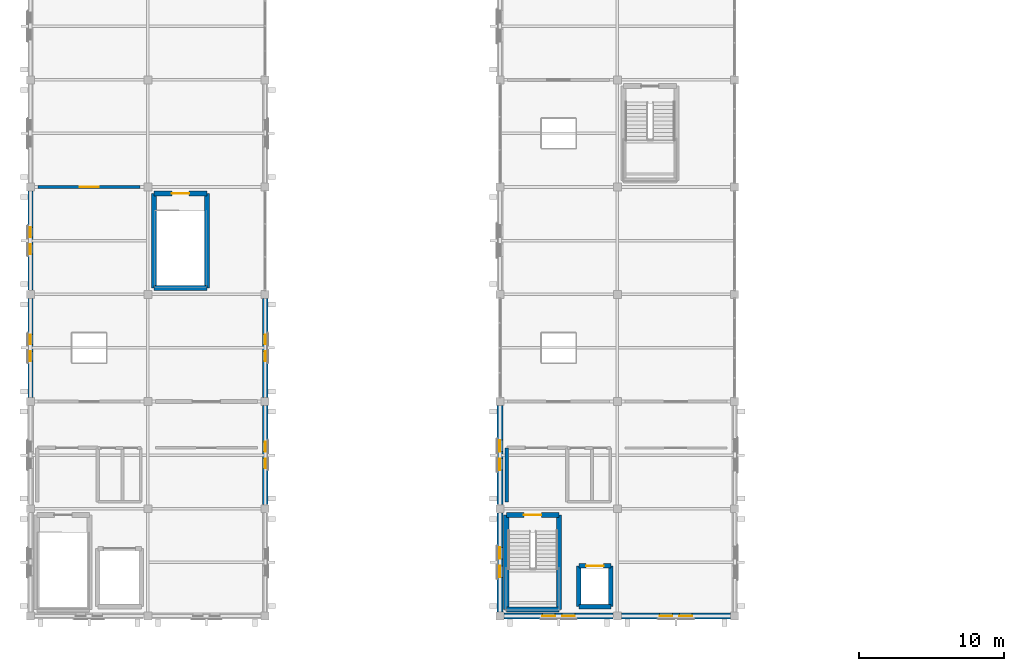
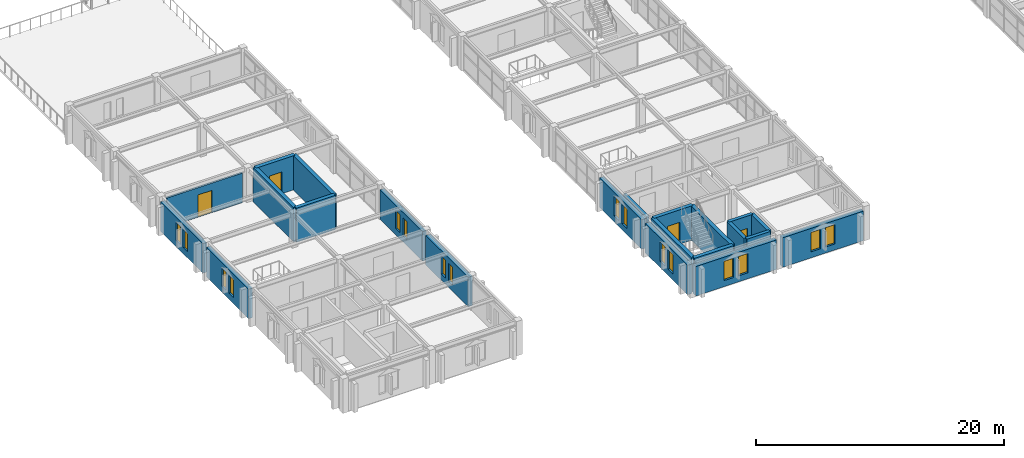
# One storey, part 78 of 93: 22 walls, 16 windows, 4 doors, 20 openings.
"""IFC4 building model written with IfcOpenShell, lengths in metres."""

import ifcopenshell
import ifcopenshell.guid

model = None  # the IFC model being written
_history = None  # IfcOwnerHistory: only IFC2X3 demands one
_inside = {}  # id of a spatial element -> (the spatial element, [elements in it])
_under = {}  # id of a project, library or spatial element -> (it, [spatial elements below it])
_declared = {}  # id of a project -> (the project, [libraries it declares])
_typed = {}  # id of a type object -> (the type object, [elements of that type])
_made_of = {}  # id of a material, layer set ... -> (it, [elements and type objects made of it])


def new_model(schema):
    """Start an empty IFC model of exactly this schema.

    Asked for "IFC4X3", IfcOpenShell would pick the latest addendum, in which some entities
    have other attributes; the version numbers below select the first issue.
    IFC2X3 requires an IfcOwnerHistory on every rooted entity: one is made here for all.
    """
    global model, _history
    if schema == "IFC4X3":
        model = ifcopenshell.file(schema_version=(4, 3, 0, 0))
    else:
        model = ifcopenshell.file(schema=schema)
    _inside.clear()
    _under.clear()
    _declared.clear()
    _typed.clear()
    _made_of.clear()
    _history = None
    if model.schema == "IFC2X3":
        org = make("IfcOrganization", Name="unknown")
        user = make(
            "IfcPersonAndOrganization",
            ThePerson=make("IfcPerson", FamilyName="unknown"),
            TheOrganization=org,
        )
        app = make(
            "IfcApplication",
            ApplicationDeveloper=org,
            Version="unknown",
            ApplicationFullName="unknown",
            ApplicationIdentifier="unknown",
        )
        _history = make(
            "IfcOwnerHistory",
            OwningUser=user,
            OwningApplication=app,
            ChangeAction="ADDED",
            CreationDate=0,
        )
    return model


def make(cls, **values):
    """One entity of the class cls with the attributes given. An attribute that is None is left unset."""
    return model.create_entity(
        cls, **{name: value for name, value in values.items() if value is not None}
    )


def rooted(cls, **values):
    """An entity with a GlobalId (a new one), such as an element, a storey or a relation."""
    return make(cls, GlobalId=ifcopenshell.guid.new(), OwnerHistory=_history, **values)


def si_unit(unit_type, name, prefix=None):
    """IfcSIUnit, for example si_unit("LENGTHUNIT", "METRE", prefix="MILLI")."""
    return make("IfcSIUnit", UnitType=unit_type, Prefix=prefix, Name=name)


def assignment(units):
    """IfcUnitAssignment: the units of a project."""
    return None if units is None else make("IfcUnitAssignment", Units=units)


def point(xyz):
    """IfcCartesianPoint."""
    return None if xyz is None else make("IfcCartesianPoint", Coordinates=xyz)


def direction(xyz):
    """IfcDirection."""
    return None if xyz is None else make("IfcDirection", DirectionRatios=xyz)


def frame(location, z_axis=None, x_axis=None):
    """IfcAxis2Placement3D, a coordinate frame: its origin and axes. An axis left out is left unset."""
    return make(
        "IfcAxis2Placement3D",
        Location=point(location),
        Axis=direction(z_axis),
        RefDirection=direction(x_axis),
    )


def frame_2d(location, x_axis=None):
    """IfcAxis2Placement2D, a coordinate frame in the plane: its origin and x axis."""
    return make(
        "IfcAxis2Placement2D", Location=point(location), RefDirection=direction(x_axis)
    )


def origin():
    """The frame at (0, 0, 0) with its axes left unset."""
    return frame((0.0, 0.0, 0.0))


def place(relative_to, where):
    """IfcLocalPlacement: puts the frame where relative to a parent placement (None: the world)."""
    return make(
        "IfcLocalPlacement", PlacementRelTo=relative_to, RelativePlacement=where
    )


def context(
    kind, dimensions, precision=None, world=None, true_north=None, identifier=None
):
    """IfcGeometricRepresentationContext, for example the 3D "Model" context."""
    return make(
        "IfcGeometricRepresentationContext",
        ContextIdentifier=identifier,
        ContextType=kind,
        CoordinateSpaceDimension=dimensions,
        Precision=precision,
        WorldCoordinateSystem=world,
        TrueNorth=true_north,
    )


def subcontext(parent, identifier, kind, view, scale=None):
    """IfcGeometricRepresentationSubContext, for example "Body" below "Model"."""
    return make(
        "IfcGeometricRepresentationSubContext",
        ContextIdentifier=identifier,
        ContextType=kind,
        ParentContext=parent,
        TargetScale=scale,
        TargetView=view,
    )


def project(units=None, contexts=None):
    """IfcProject with its units and contexts."""
    return rooted(
        "IfcProject",
        Name="project",
        RepresentationContexts=contexts,
        UnitsInContext=assignment(units),
    )


def spatial(cls, under=None, at=None, **own):
    """A site, building, storey or space (cls), placed at a placement, below another one or the project."""
    s = rooted(cls, ObjectPlacement=at, **own)
    if under is not None:
        _under.setdefault(under.id(), (under, []))[1].append(s)
    return s


def profile(cls, at=None, kind="AREA", **sizes):
    """A parametric profile (cls). Its sizes go by their IFC names, for example OverallWidth=200.0."""
    return make(cls, ProfileType=kind, Position=at, **sizes)


def rectangle(**sizes):
    """IfcRectangleProfileDef."""
    return profile("IfcRectangleProfileDef", **sizes)


def extrude(swept, where, along, depth):
    """IfcExtrudedAreaSolid: the profile swept, set in the frame where, extruded along a direction by depth."""
    return make(
        "IfcExtrudedAreaSolid",
        SweptArea=swept,
        Position=where,
        ExtrudedDirection=direction(along),
        Depth=depth,
    )


def shape(context_of_items, identifier, shape_type, items):
    """IfcShapeRepresentation: the items that make up one representation, for example the "Body"."""
    return make(
        "IfcShapeRepresentation",
        ContextOfItems=context_of_items,
        RepresentationIdentifier=identifier,
        RepresentationType=shape_type,
        Items=items,
    )


def material(Name=None, Category=None):
    """IfcMaterial."""
    return make("IfcMaterial", Name=Name, Category=Category)


def layer(
    of_material, thickness, ventilated=None, Name=None, Category=None, Priority=None
):
    """IfcMaterialLayer: one layer of a wall or slab, of a material (None: an air gap)."""
    return make(
        "IfcMaterialLayer",
        Material=of_material,
        LayerThickness=thickness,
        IsVentilated=ventilated,
        Name=Name,
        Category=Category,
        Priority=Priority,
    )


def layer_set(layers, Name=None):
    """IfcMaterialLayerSet."""
    return make("IfcMaterialLayerSet", MaterialLayers=layers, LayerSetName=Name)


def made_of(thing, what):
    """Note that an element or type object is made of a material, layer set ...; save() writes the relation."""
    if what is not None:
        _made_of.setdefault(what.id(), (what, []))[1].append(thing)
    return thing


def type_object(cls, material=None, **own):
    """A type object (cls), such as IfcWallType, which elements share."""
    return made_of(rooted(cls, **own), material)


def element(
    cls,
    number,
    at=None,
    inside=None,
    cuts=None,
    type_object=None,
    material=None,
    context=None,
    identifier="Body",
    shape_type=None,
    held_by="IfcProductDefinitionShape",
    body=None,
    shapes=None,
    **own,
):
    """One element of the class cls, such as IfcWall. Its Tag is "e" and its number.

    at: its placement. inside: the storey or other place that contains it. cuts: it is an
    opening in that element (IfcRelVoidsElement). A single representation is given by context,
    identifier, shape_type and body (its items); several are given by shapes. held_by: the class
    of the entity that holds the representations. save() writes the other relations.
    """
    e = rooted(cls, Tag="e%d" % number, ObjectPlacement=at, **own)
    if body is not None:
        shapes = [shape(context, identifier, shape_type, body)]
    if shapes is not None:
        e.Representation = make(held_by, Representations=shapes)
    if inside is not None:
        _inside.setdefault(inside.id(), (inside, []))[1].append(e)
    if cuts is not None:
        rooted(
            "IfcRelVoidsElement", RelatingBuildingElement=cuts, RelatedOpeningElement=e
        )
    if type_object is not None:
        _typed.setdefault(type_object.id(), (type_object, []))[1].append(e)
    return made_of(e, material)


def fill(opening, filler):
    """IfcRelFillsElement: the door or window that sits in an opening."""
    return rooted(
        "IfcRelFillsElement",
        RelatingOpeningElement=opening,
        RelatedBuildingElement=filler,
    )


def aggregate(whole, parts):
    """IfcRelAggregates: a whole, such as a stair, and the parts it consists of."""
    return rooted("IfcRelAggregates", RelatingObject=whole, RelatedObjects=parts)


def save(model, path):
    """Write the relations noted so far, then the file.

    IfcRelAggregates (storeys below a building ...), IfcRelContainedInSpatialStructure (elements
    in a storey), IfcRelDefinesByType, IfcRelAssociatesMaterial and IfcRelDeclares: one each for
    every whole, place, type object, material and project.
    """
    for whole, parts in _under.values():
        aggregate(whole, parts)
    for where, things in _inside.values():
        rooted(
            "IfcRelContainedInSpatialStructure",
            RelatedElements=things,
            RelatingStructure=where,
        )
    for kind, things in _typed.values():
        rooted("IfcRelDefinesByType", RelatedObjects=things, RelatingType=kind)
    for what, things in _made_of.values():
        rooted("IfcRelAssociatesMaterial", RelatedObjects=things, RelatingMaterial=what)
    for by, libraries in _declared.values():
        rooted("IfcRelDeclares", RelatingContext=by, RelatedDefinitions=libraries)
    model.write(path)


model = new_model("IFC4")

# Units and contexts
model_context = context("Model", 3, precision=1e-05, world=origin(), true_north=direction((0.0, 1.0)))
body_context = subcontext(model_context, "Body", "Model", "MODEL_VIEW")
ifc_project = project(units=[si_unit("LENGTHUNIT", "METRE"), si_unit("AREAUNIT", "SQUARE_METRE"), si_unit("VOLUMEUNIT", "CUBIC_METRE"), si_unit("PLANEANGLEUNIT", "RADIAN"), si_unit("MASSUNIT", "GRAM", prefix="KILO")], contexts=[model_context])

# Site, building, storey
site_placement = place(None, origin())
site = spatial("IfcSite", under=ifc_project, at=site_placement, CompositionType="ELEMENT")
building_placement = place(site_placement, origin())
building = spatial("IfcBuilding", under=site, at=building_placement, Name="Cimatlan Art Gallery", CompositionType="ELEMENT")
storey_placement = place(building_placement, frame((0.0, 0.0, 13.800048828125)))
storey = spatial("IfcBuildingStorey", under=building, at=storey_placement, Name="L03", CompositionType="ELEMENT", Elevation=13.800048828125)

# Walls
ifc_material_1 = material(Name="Concrete C40/50", Category="concrete")
ifc_layer_1 = layer(ifc_material_1, 0.31005859375)
ifc_layer_set_1 = layer_set([ifc_layer_1], Name="Concrete C40/50")
wall_type_1 = type_object("IfcWallType", Name="W-CORE-310", PredefinedType="SHEAR", material=ifc_layer_set_1)
wall_1_placement = place(storey_placement, frame((39.85009765625, 24.550048828125, 0.0), z_axis=(0.0, 0.0, 1.0), x_axis=(0.0, 1.0, 0.0)))
element("IfcWall", 1, at=wall_1_placement, inside=storey, type_object=wall_type_1, Name="WL-SHFT-C2-L03-LW", PredefinedType="SHEAR", context=body_context, shape_type="SweptSolid", body=[
    extrude(rectangle(XDim=2.800048828125, YDim=0.31005859375, at=frame_2d((1.39990234375, 0.0))), origin(), (0.0, 0.0, 1.0), 3.375),
])
wall_2_placement = place(storey_placement, frame((39.85009765625, 24.550048828125, 0.0), z_axis=(0.0, 0.0, 1.0), x_axis=(1.0, 0.0, 0.0)))
element("IfcWall", 2, at=wall_2_placement, inside=storey, type_object=wall_type_1, Name="WL-SHFT-C2-L03-LS", PredefinedType="SHEAR", context=body_context, shape_type="SweptSolid", body=[
    extrude(rectangle(XDim=2.199951171875, YDim=0.31005859375, at=frame_2d((1.10009765625, 0.0))), origin(), (0.0, 0.0, 1.0), 3.375),
])
wall_3_placement = place(storey_placement, frame((42.050048828125, 24.550048828125, 0.0), z_axis=(0.0, 0.0, 1.0), x_axis=(0.0, 1.0, 0.0)))
element("IfcWall", 3, at=wall_3_placement, inside=storey, type_object=wall_type_1, Name="WL-SHFT-C2-L03-LE", PredefinedType="SHEAR", context=body_context, shape_type="SweptSolid", body=[
    extrude(rectangle(XDim=2.800048828125, YDim=0.31005859375, at=frame_2d((1.39990234375, 0.0))), origin(), (0.0, 0.0, 1.0), 3.375),
])

# Wall, opening, door
wall_4_placement = place(storey_placement, frame((39.85009765625, 27.35009765625, 0.0), z_axis=(0.0, 0.0, 1.0), x_axis=(1.0, 0.0, 0.0)))
wall_4 = element("IfcWall", 4, at=wall_4_placement, inside=storey, type_object=wall_type_1, Name="WL-SHFT-C2-L03-LN", PredefinedType="SHEAR", context=body_context, shape_type="SweptSolid", body=[
    extrude(rectangle(XDim=2.199951171875, YDim=0.31005859375, at=frame_2d((1.10009765625, 0.0))), origin(), (0.0, 0.0, 1.0), 3.375),
])
opening_1_placement = place(wall_4_placement, frame((0.5, 0.0, 0.0)))
opening_1 = element("IfcOpeningElement", 5, at=opening_1_placement, cuts=wall_4, Name="Opening LD-C2-L03", PredefinedType="OPENING", context=body_context, shape_type="SweptSolid", body=[
    extrude(rectangle(XDim=1.199951171875, YDim=2.14990234375, at=frame_2d((0.60009765625, 1.074951171875))), frame((0.0, 0.1650390625, 0.0), z_axis=(0.0, -1.0, 0.0), x_axis=(1.0, 0.0, 0.0)), (0.0, 0.0, 1.0), 0.330078125),
])
ifc_material_2 = material(Name="Fire-rated sliding firefighting lift landing door")
door_type_1 = type_object("IfcDoorType", Name="LD-FF-1200", OperationType="NOTDEFINED", PredefinedType="DOOR", material=ifc_material_2)
door_1_placement = place(opening_1_placement, origin())
door_1 = element("IfcDoor", 6, at=door_1_placement, inside=storey, type_object=door_type_1, Name="LD-FFL-01-L03", OperationType="SLIDING_TO_LEFT", OverallHeight=2.14990234375, OverallWidth=1.199951171875, PredefinedType="DOOR", context=body_context, shape_type="SweptSolid", body=[
    extrude(rectangle(XDim=1.199951171875, YDim=2.14990234375, at=frame_2d((0.60009765625, 1.074951171875))), frame((0.0, 0.02490234375, 0.0), z_axis=(0.0, -1.0, 0.0), x_axis=(1.0, 0.0, 0.0)), (0.0, 0.0, 1.0), 0.050048828125),
])
fill(opening_1, door_1)

# Walls
ifc_layer_2 = layer(ifc_material_1, 0.35009765625)
ifc_layer_set_2 = layer_set([ifc_layer_2], Name="Concrete C40/50")
wall_type_2 = type_object("IfcWallType", Name="W-CORE-350", PredefinedType="SHEAR", material=ifc_layer_set_2)
wall_5_placement = place(storey_placement, frame((34.840087890625, 24.340087890625, 0.0), z_axis=(0.0, 0.0, 1.0), x_axis=(0.0, 1.0, 0.0)))
element("IfcWall", 7, at=wall_5_placement, inside=storey, type_object=wall_type_2, Name="WL-CORE-C2-L03-SW", PredefinedType="SHEAR", context=body_context, shape_type="SweptSolid", body=[
    extrude(rectangle(XDim=6.52001953125, YDim=0.35009765625, at=frame_2d((3.260009765625, 0.0))), origin(), (0.0, 0.0, 1.0), 3.375),
])
wall_6_placement = place(storey_placement, frame((34.840087890625, 24.340087890625, 0.0), z_axis=(0.0, 0.0, 1.0), x_axis=(1.0, 0.0, 0.0)))
element("IfcWall", 8, at=wall_6_placement, inside=storey, type_object=wall_type_2, Name="WL-CORE-C2-L03-SS", PredefinedType="SHEAR", context=body_context, shape_type="SweptSolid", body=[
    extrude(rectangle(XDim=3.639892578125, YDim=0.35009765625, at=frame_2d((1.81982421875, 0.0))), origin(), (0.0, 0.0, 1.0), 3.375),
])
wall_7_placement = place(storey_placement, frame((38.47998046875, 24.340087890625, 0.0), z_axis=(0.0, 0.0, 1.0), x_axis=(0.0, 1.0, 0.0)))
element("IfcWall", 9, at=wall_7_placement, inside=storey, type_object=wall_type_2, Name="WL-CORE-C2-L03-SE", PredefinedType="SHEAR", context=body_context, shape_type="SweptSolid", body=[
    extrude(rectangle(XDim=6.52001953125, YDim=0.35009765625, at=frame_2d((3.260009765625, 0.0))), origin(), (0.0, 0.0, 1.0), 3.375),
])

# Wall, opening, door
wall_8_placement = place(storey_placement, frame((34.840087890625, 30.860107421875, 0.0), z_axis=(0.0, 0.0, 1.0), x_axis=(1.0, 0.0, 0.0)))
wall_8 = element("IfcWall", 10, at=wall_8_placement, inside=storey, type_object=wall_type_2, Name="WL-CORE-C2-L03-SN", PredefinedType="SHEAR", context=body_context, shape_type="SweptSolid", body=[
    extrude(rectangle(XDim=3.639892578125, YDim=0.35009765625, at=frame_2d((1.81982421875, 0.0))), origin(), (0.0, 0.0, 1.0), 3.375),
])
opening_2_placement = place(wall_8_placement, frame((1.219970703125, 0.0, 0.0)))
opening_2 = element("IfcOpeningElement", 11, at=opening_2_placement, cuts=wall_8, Name="Opening FD-C2-L03", PredefinedType="OPENING", context=body_context, shape_type="SweptSolid", body=[
    extrude(rectangle(XDim=1.199951171875, YDim=2.14990234375, at=frame_2d((0.60009765625, 1.074951171875))), frame((0.0, 0.18505859375, 0.0), z_axis=(0.0, -1.0, 0.0), x_axis=(1.0, 0.0, 0.0)), (0.0, 0.0, 1.0), 0.3701171875),
])
ifc_material_3 = material(Name="Fire-resisting steel acoustic stair door", Category="steel")
door_type_2 = type_object("IfcDoorType", Name="FD-ST-1200", OperationType="NOTDEFINED", PredefinedType="DOOR", material=ifc_material_3)
door_2_placement = place(opening_2_placement, origin())
door_2 = element("IfcDoor", 12, at=door_2_placement, inside=storey, type_object=door_type_2, Name="DR-C2-L03-ST", OperationType="SINGLE_SWING_LEFT", OverallHeight=2.14990234375, OverallWidth=1.199951171875, PredefinedType="DOOR", context=body_context, shape_type="SweptSolid", body=[
    extrude(rectangle(XDim=1.199951171875, YDim=2.14990234375, at=frame_2d((0.60009765625, 1.074951171875))), frame((0.0, 0.02490234375, 0.0), z_axis=(0.0, -1.0, 0.0), x_axis=(1.0, 0.0, 0.0)), (0.0, 0.0, 1.0), 0.050048828125),
])
fill(opening_2, door_2)

# Walls
wall_9_placement = place(storey_placement, frame((10.5400390625, 46.5400390625, 0.0), z_axis=(0.0, 0.0, 1.0), x_axis=(0.0, 1.0, 0.0)))
element("IfcWall", 13, at=wall_9_placement, inside=storey, type_object=wall_type_2, Name="WL-CORE-C7-L03-SW", PredefinedType="SHEAR", context=body_context, shape_type="SweptSolid", body=[
    extrude(rectangle(XDim=6.52001953125, YDim=0.35009765625, at=frame_2d((3.260009765625, 0.0))), origin(), (0.0, 0.0, 1.0), 3.375),
])
wall_10_placement = place(storey_placement, frame((10.5400390625, 46.5400390625, 0.0), z_axis=(0.0, 0.0, 1.0), x_axis=(1.0, 0.0, 0.0)))
element("IfcWall", 14, at=wall_10_placement, inside=storey, type_object=wall_type_2, Name="WL-CORE-C7-L03-SS", PredefinedType="SHEAR", context=body_context, shape_type="SweptSolid", body=[
    extrude(rectangle(XDim=3.639892578125, YDim=0.35009765625, at=frame_2d((1.81982421875, 0.0))), origin(), (0.0, 0.0, 1.0), 3.375),
])
wall_11_placement = place(storey_placement, frame((14.179931640625, 46.5400390625, 0.0), z_axis=(0.0, 0.0, 1.0), x_axis=(0.0, 1.0, 0.0)))
element("IfcWall", 15, at=wall_11_placement, inside=storey, type_object=wall_type_2, Name="WL-CORE-C7-L03-SE", PredefinedType="SHEAR", context=body_context, shape_type="SweptSolid", body=[
    extrude(rectangle(XDim=6.52001953125, YDim=0.35009765625, at=frame_2d((3.260009765625, 0.0))), origin(), (0.0, 0.0, 1.0), 3.375),
])

# Wall, opening, door
wall_12_placement = place(storey_placement, frame((10.5400390625, 53.06005859375, 0.0), z_axis=(0.0, 0.0, 1.0), x_axis=(1.0, 0.0, 0.0)))
wall_12 = element("IfcWall", 16, at=wall_12_placement, inside=storey, type_object=wall_type_2, Name="WL-CORE-C7-L03-SN", PredefinedType="SHEAR", context=body_context, shape_type="SweptSolid", body=[
    extrude(rectangle(XDim=3.639892578125, YDim=0.35009765625, at=frame_2d((1.81982421875, 0.0))), origin(), (0.0, 0.0, 1.0), 3.375),
])
opening_3_placement = place(wall_12_placement, frame((1.219970703125, 0.0, 0.0)))
opening_3 = element("IfcOpeningElement", 17, at=opening_3_placement, cuts=wall_12, Name="Opening FD-C7-L03", PredefinedType="OPENING", context=body_context, shape_type="SweptSolid", body=[
    extrude(rectangle(XDim=1.199951171875, YDim=2.14990234375, at=frame_2d((0.60009765625, 1.074951171875))), frame((0.0, 0.18505859375, 0.0), z_axis=(0.0, -1.0, 0.0), x_axis=(1.0, 0.0, 0.0)), (0.0, 0.0, 1.0), 0.3701171875),
])
door_3_placement = place(opening_3_placement, origin())
door_3 = element("IfcDoor", 18, at=door_3_placement, inside=storey, type_object=door_type_2, Name="DR-C7-L03-ST", OperationType="SINGLE_SWING_RIGHT", OverallHeight=2.14990234375, OverallWidth=1.199951171875, PredefinedType="DOOR", context=body_context, shape_type="SweptSolid", body=[
    extrude(rectangle(XDim=1.199951171875, YDim=2.14990234375, at=frame_2d((0.60009765625, 1.074951171875))), frame((0.0, 0.02490234375, 0.0), z_axis=(0.0, -1.0, 0.0), x_axis=(1.0, 0.0, 0.0)), (0.0, 0.0, 1.0), 0.050048828125),
])
fill(opening_3, door_3)

# Wall
ifc_material_4 = material(Name="Precast concrete C40/50", Category="concrete")
ifc_layer_3 = layer(ifc_material_4, 0.2451171875)
ifc_layer_set_3 = layer_set([ifc_layer_3], Name="Precast concrete C40/50")
wall_type_3 = type_object("IfcWallType", Name="W-FFL-245", PredefinedType="PARTITIONING", material=ifc_layer_set_3)
wall_13_placement = place(storey_placement, frame((34.8798828125, 31.780029296875, 0.0), z_axis=(0.0, 0.0, 1.0), x_axis=(0.0, 1.0, 0.0)))
element("IfcWall", 19, at=wall_13_placement, inside=storey, type_object=wall_type_3, Name="WL-LOB-C2-L03-W", PredefinedType="PARTITIONING", context=body_context, shape_type="SweptSolid", body=[
    extrude(rectangle(XDim=3.719970703125, YDim=0.2451171875, at=frame_2d((1.85986328125, 0.0))), origin(), (0.0, 0.0, 1.0), 2.912841796875),
])

# Wall, opening, door
ifc_material_5 = material(Name="Acoustic gypsum and steel stud partition", Category="steel")
ifc_layer_4 = layer(ifc_material_5, 0.179931640625)
ifc_layer_set_4 = layer_set([ifc_layer_4], Name="Acoustic gypsum and steel stud partition")
wall_type_4 = type_object("IfcWallType", Name="W-STD-180", PredefinedType="PARTITIONING", material=ifc_layer_set_4)
wall_14_placement = place(storey_placement, frame((2.52001953125, 53.5, 0.0), z_axis=(0.0, 0.0, 1.0), x_axis=(1.0, 0.0, 0.0)))
wall_14 = element("IfcWall", 20, at=wall_14_placement, inside=storey, type_object=wall_type_4, Name="WL-RM-L03-CNS-N1", PredefinedType="PARTITIONING", context=body_context, shape_type="SweptSolid", body=[
    extrude(rectangle(XDim=7.06005859375, YDim=0.179931640625, at=frame_2d((3.530029296875, 0.0))), origin(), (0.0, 0.0, 1.0), 2.912841796875),
])
opening_4_placement = place(wall_14_placement, frame((2.8798828125, 0.0, 0.0)))
opening_4 = element("IfcOpeningElement", 21, at=opening_4_placement, cuts=wall_14, Name="Opening DI-0244", PredefinedType="OPENING", context=body_context, shape_type="SweptSolid", body=[
    extrude(rectangle(XDim=1.300048828125, YDim=2.199951171875, at=frame_2d((0.64990234375, 1.10009765625))), frame((0.0, 0.10009765625, 0.0), z_axis=(0.0, -1.0, 0.0), x_axis=(1.0, 0.0, 0.0)), (0.0, 0.0, 1.0), 0.199951171875),
])
ifc_material_6 = material(Name="Conservation laboratory double-leaf door")
door_type_3 = type_object("IfcDoorType", Name="DI-CN-1300", OperationType="NOTDEFINED", PredefinedType="DOOR", material=ifc_material_6)
door_4_placement = place(opening_4_placement, origin())
door_4 = element("IfcDoor", 22, at=door_4_placement, inside=storey, type_object=door_type_3, Name="DR-RM-L03-CNS-N1", OperationType="SINGLE_SWING_RIGHT", OverallHeight=2.199951171875, OverallWidth=1.300048828125, PredefinedType="DOOR", context=body_context, shape_type="SweptSolid", body=[
    extrude(rectangle(XDim=1.300048828125, YDim=2.199951171875, at=frame_2d((0.64990234375, 1.10009765625))), frame((0.0, 0.02490234375, 0.0), z_axis=(0.0, -1.0, 0.0), x_axis=(1.0, 0.0, 0.0)), (0.0, 0.0, 1.0), 0.050048828125),
])
fill(opening_4, door_4)

# Wall, openings, windows
ifc_layer_5 = layer(ifc_material_4, 0.39990234375)
ifc_layer_set_5 = layer_set([ifc_layer_5], Name="Precast concrete C40/50")
wall_type_5 = type_object("IfcWallType", Name="WL-EXT-CAN-400", PredefinedType="SOLIDWALL", material=ifc_layer_set_5)
wall_15_placement = place(storey_placement, frame((18.199951171875, 38.4208984375, 0.0), z_axis=(0.0, 0.0, 1.0), x_axis=(0.0, -1.0, 0.0)))
wall_15 = element("IfcWall", 23, at=wall_15_placement, inside=storey, type_object=wall_type_5, Name="WL-EXT-L03-01-04-E", PredefinedType="SOLIDWALL", context=body_context, shape_type="SweptSolid", body=[
    extrude(rectangle(XDim=6.841796875, YDim=0.39990234375, at=frame_2d((3.4208984375, 0.0))), origin(), (0.0, 0.0, 1.0), 2.907958984375),
])
opening_5_placement = place(wall_15_placement, frame((2.5009765625, 0.0, 0.60009765625)))
opening_5 = element("IfcOpeningElement", 24, at=opening_5_placement, cuts=wall_15, Name="Opening WN-0227", PredefinedType="OPENING", context=body_context, shape_type="SweptSolid", body=[
    extrude(rectangle(XDim=0.679931640625, YDim=1.780029296875, at=frame_2d((0.33984375, 0.89013671875))), frame((0.0, 0.2099609375, 0.0), z_axis=(0.0, -1.0, 0.0), x_axis=(1.0, 0.0, 0.0)), (0.0, 0.0, 1.0), 0.419921875),
])
opening_6_placement = place(wall_15_placement, frame((3.660888671875, 0.0, 0.60009765625)))
opening_6 = element("IfcOpeningElement", 25, at=opening_6_placement, cuts=wall_15, Name="Opening WN-0228", PredefinedType="OPENING", context=body_context, shape_type="SweptSolid", body=[
    extrude(rectangle(XDim=0.679931640625, YDim=1.780029296875, at=frame_2d((0.33984375, 0.89013671875))), frame((0.0, 0.2099609375, 0.0), z_axis=(0.0, -1.0, 0.0), x_axis=(1.0, 0.0, 0.0)), (0.0, 0.0, 1.0), 0.419921875),
])
ifc_material_7 = material(Name="Low-E laminated double glazing in bronze lancet frame", Category="glass")
window_type_1 = type_object("IfcWindowType", Name="WIN-CNS-L03-0680X1780", PartitioningType="SINGLE_PANEL", PredefinedType="WINDOW", material=ifc_material_7)
window_1_placement = place(opening_5_placement, origin())
window_1 = element("IfcWindow", 26, at=window_1_placement, inside=storey, type_object=window_type_1, Name="WIN-0227", OverallHeight=1.780029296875, OverallWidth=0.679931640625, PartitioningType="SINGLE_PANEL", PredefinedType="WINDOW", context=body_context, shape_type="SweptSolid", body=[
    extrude(rectangle(XDim=0.679931640625, YDim=1.780029296875, at=frame_2d((0.33984375, 0.89013671875))), frame((0.0, 0.030029296875, 0.0), z_axis=(0.0, -1.0, 0.0), x_axis=(1.0, 0.0, 0.0)), (0.0, 0.0, 1.0), 0.06005859375),
])
fill(opening_5, window_1)
window_2_placement = place(opening_6_placement, origin())
window_2 = element("IfcWindow", 27, at=window_2_placement, inside=storey, type_object=window_type_1, Name="WIN-0228", OverallHeight=1.780029296875, OverallWidth=0.679931640625, PartitioningType="SINGLE_PANEL", PredefinedType="WINDOW", context=body_context, shape_type="SweptSolid", body=[
    extrude(rectangle(XDim=0.679931640625, YDim=1.780029296875, at=frame_2d((0.33984375, 0.89013671875))), frame((0.0, 0.030029296875, 0.0), z_axis=(0.0, -1.0, 0.0), x_axis=(1.0, 0.0, 0.0)), (0.0, 0.0, 1.0), 0.06005859375),
])
fill(opening_6, window_2)

wall_16_placement = place(storey_placement, frame((42.220947265625, 23.89990234375, 0.0), z_axis=(0.0, 0.0, 1.0), x_axis=(-1.0, 0.0, 0.0)))
wall_16 = element("IfcWall", 28, at=wall_16_placement, inside=storey, type_object=wall_type_5, Name="WL-EXT-L03-04-03-S", PredefinedType="SOLIDWALL", context=body_context, shape_type="SweptSolid", body=[
    extrude(rectangle(XDim=7.5419921875, YDim=0.39990234375, at=frame_2d((3.77099609375, 0.0))), origin(), (0.0, 0.0, 1.0), 2.907958984375),
])
opening_7_placement = place(wall_16_placement, frame((2.65087890625, 0.0, 0.60009765625)))
opening_7 = element("IfcOpeningElement", 29, at=opening_7_placement, cuts=wall_16, Name="Opening WN-0233", PredefinedType="OPENING", context=body_context, shape_type="SweptSolid", body=[
    extrude(rectangle(XDim=0.8798828125, YDim=1.89990234375, at=frame_2d((0.43994140625, 0.949951171875))), frame((0.0, 0.2099609375, 0.0), z_axis=(0.0, -1.0, 0.0), x_axis=(1.0, 0.0, 0.0)), (0.0, 0.0, 1.0), 0.419921875),
])
opening_8_placement = place(wall_16_placement, frame((4.010986328125, 0.0, 0.60009765625)))
opening_8 = element("IfcOpeningElement", 30, at=opening_8_placement, cuts=wall_16, Name="Opening WN-0234", PredefinedType="OPENING", context=body_context, shape_type="SweptSolid", body=[
    extrude(rectangle(XDim=0.8798828125, YDim=1.89990234375, at=frame_2d((0.43994140625, 0.949951171875))), frame((0.0, 0.2099609375, 0.0), z_axis=(0.0, -1.0, 0.0), x_axis=(1.0, 0.0, 0.0)), (0.0, 0.0, 1.0), 0.419921875),
])
window_type_2 = type_object("IfcWindowType", Name="WIN-S-L03-0880X1900", PartitioningType="SINGLE_PANEL", PredefinedType="WINDOW", material=ifc_material_7)
window_3_placement = place(opening_7_placement, origin())
window_3 = element("IfcWindow", 31, at=window_3_placement, inside=storey, type_object=window_type_2, Name="WIN-0233", OverallHeight=1.89990234375, OverallWidth=0.8798828125, PartitioningType="SINGLE_PANEL", PredefinedType="WINDOW", context=body_context, shape_type="SweptSolid", body=[
    extrude(rectangle(XDim=0.8798828125, YDim=1.89990234375, at=frame_2d((0.43994140625, 0.949951171875))), frame((0.0, 0.030029296875, 0.0), z_axis=(0.0, -1.0, 0.0), x_axis=(1.0, 0.0, 0.0)), (0.0, 0.0, 1.0), 0.06005859375),
])
fill(opening_7, window_3)
window_4_placement = place(opening_8_placement, origin())
window_4 = element("IfcWindow", 32, at=window_4_placement, inside=storey, type_object=window_type_2, Name="WIN-0234", OverallHeight=1.89990234375, OverallWidth=0.8798828125, PartitioningType="SINGLE_PANEL", PredefinedType="WINDOW", context=body_context, shape_type="SweptSolid", body=[
    extrude(rectangle(XDim=0.8798828125, YDim=1.89990234375, at=frame_2d((0.43994140625, 0.949951171875))), frame((0.0, 0.030029296875, 0.0), z_axis=(0.0, -1.0, 0.0), x_axis=(1.0, 0.0, 0.0)), (0.0, 0.0, 1.0), 0.06005859375),
])
fill(opening_8, window_4)

wall_17_placement = place(storey_placement, frame((34.39990234375, 24.178955078125, 0.0), z_axis=(0.0, 0.0, 1.0), x_axis=(0.0, 1.0, 0.0)))
wall_17 = element("IfcWall", 33, at=wall_17_placement, inside=storey, type_object=wall_type_5, Name="WL-EXT-L03-04-03-W", PredefinedType="SOLIDWALL", context=body_context, shape_type="SweptSolid", body=[
    extrude(rectangle(XDim=6.842041015625, YDim=0.39990234375, at=frame_2d((3.4208984375, 0.0))), origin(), (0.0, 0.0, 1.0), 2.907958984375),
])
opening_9_placement = place(wall_17_placement, frame((2.381103515625, 0.0, 0.60009765625)))
opening_9 = element("IfcOpeningElement", 34, at=opening_9_placement, cuts=wall_17, Name="Opening WN-0235", PredefinedType="OPENING", context=body_context, shape_type="SweptSolid", body=[
    extrude(rectangle(XDim=0.800048828125, YDim=1.919921875, at=frame_2d((0.39990234375, 0.9599609375))), frame((0.0, 0.2099609375, 0.0), z_axis=(0.0, -1.0, 0.0), x_axis=(1.0, 0.0, 0.0)), (0.0, 0.0, 1.0), 0.419921875),
])
opening_10_placement = place(wall_17_placement, frame((3.660888671875, 0.0, 0.60009765625)))
opening_10 = element("IfcOpeningElement", 35, at=opening_10_placement, cuts=wall_17, Name="Opening WN-0236", PredefinedType="OPENING", context=body_context, shape_type="SweptSolid", body=[
    extrude(rectangle(XDim=0.800048828125, YDim=1.919921875, at=frame_2d((0.39990234375, 0.9599609375))), frame((0.0, 0.2099609375, 0.0), z_axis=(0.0, -1.0, 0.0), x_axis=(1.0, 0.0, 0.0)), (0.0, 0.0, 1.0), 0.419921875),
])
window_type_3 = type_object("IfcWindowType", Name="WIN-W-L03-0800X1920", PartitioningType="SINGLE_PANEL", PredefinedType="WINDOW", material=ifc_material_7)
window_5_placement = place(opening_9_placement, origin())
window_5 = element("IfcWindow", 36, at=window_5_placement, inside=storey, type_object=window_type_3, Name="WIN-0235", OverallHeight=1.919921875, OverallWidth=0.800048828125, PartitioningType="SINGLE_PANEL", PredefinedType="WINDOW", context=body_context, shape_type="SweptSolid", body=[
    extrude(rectangle(XDim=0.800048828125, YDim=1.919921875, at=frame_2d((0.39990234375, 0.9599609375))), frame((0.0, 0.030029296875, 0.0), z_axis=(0.0, -1.0, 0.0), x_axis=(1.0, 0.0, 0.0)), (0.0, 0.0, 1.0), 0.06005859375),
])
fill(opening_9, window_5)
window_6_placement = place(opening_10_placement, origin())
window_6 = element("IfcWindow", 37, at=window_6_placement, inside=storey, type_object=window_type_3, Name="WIN-0236", OverallHeight=1.919921875, OverallWidth=0.800048828125, PartitioningType="SINGLE_PANEL", PredefinedType="WINDOW", context=body_context, shape_type="SweptSolid", body=[
    extrude(rectangle(XDim=0.800048828125, YDim=1.919921875, at=frame_2d((0.39990234375, 0.9599609375))), frame((0.0, 0.030029296875, 0.0), z_axis=(0.0, -1.0, 0.0), x_axis=(1.0, 0.0, 0.0)), (0.0, 0.0, 1.0), 0.06005859375),
])
fill(opening_10, window_6)

wall_18_placement = place(storey_placement, frame((34.39990234375, 31.5791015625, 0.0), z_axis=(0.0, 0.0, 1.0), x_axis=(0.0, 1.0, 0.0)))
wall_18 = element("IfcWall", 38, at=wall_18_placement, inside=storey, type_object=wall_type_5, Name="WL-EXT-L03-04-04-W", PredefinedType="SOLIDWALL", context=body_context, shape_type="SweptSolid", body=[
    extrude(rectangle(XDim=6.841796875, YDim=0.39990234375, at=frame_2d((3.4208984375, 0.0))), origin(), (0.0, 0.0, 1.0), 2.907958984375),
])
opening_11_placement = place(wall_18_placement, frame((2.381103515625, 0.0, 0.60009765625)))
opening_11 = element("IfcOpeningElement", 39, at=opening_11_placement, cuts=wall_18, Name="Opening WN-0237", PredefinedType="OPENING", context=body_context, shape_type="SweptSolid", body=[
    extrude(rectangle(XDim=0.800048828125, YDim=1.919921875, at=frame_2d((0.39990234375, 0.9599609375))), frame((0.0, 0.2099609375, 0.0), z_axis=(0.0, -1.0, 0.0), x_axis=(1.0, 0.0, 0.0)), (0.0, 0.0, 1.0), 0.419921875),
])
opening_12_placement = place(wall_18_placement, frame((3.660888671875, 0.0, 0.60009765625)))
opening_12 = element("IfcOpeningElement", 40, at=opening_12_placement, cuts=wall_18, Name="Opening WN-0238", PredefinedType="OPENING", context=body_context, shape_type="SweptSolid", body=[
    extrude(rectangle(XDim=0.800048828125, YDim=1.919921875, at=frame_2d((0.39990234375, 0.9599609375))), frame((0.0, 0.2099609375, 0.0), z_axis=(0.0, -1.0, 0.0), x_axis=(1.0, 0.0, 0.0)), (0.0, 0.0, 1.0), 0.419921875),
])
window_7_placement = place(opening_11_placement, origin())
window_7 = element("IfcWindow", 41, at=window_7_placement, inside=storey, type_object=window_type_3, Name="WIN-0237", OverallHeight=1.919921875, OverallWidth=0.800048828125, PartitioningType="SINGLE_PANEL", PredefinedType="WINDOW", context=body_context, shape_type="SweptSolid", body=[
    extrude(rectangle(XDim=0.800048828125, YDim=1.919921875, at=frame_2d((0.39990234375, 0.9599609375))), frame((0.0, 0.030029296875, 0.0), z_axis=(0.0, -1.0, 0.0), x_axis=(1.0, 0.0, 0.0)), (0.0, 0.0, 1.0), 0.06005859375),
])
fill(opening_11, window_7)
window_8_placement = place(opening_12_placement, origin())
window_8 = element("IfcWindow", 42, at=window_8_placement, inside=storey, type_object=window_type_3, Name="WIN-0238", OverallHeight=1.919921875, OverallWidth=0.800048828125, PartitioningType="SINGLE_PANEL", PredefinedType="WINDOW", context=body_context, shape_type="SweptSolid", body=[
    extrude(rectangle(XDim=0.800048828125, YDim=1.919921875, at=frame_2d((0.39990234375, 0.9599609375))), frame((0.0, 0.030029296875, 0.0), z_axis=(0.0, -1.0, 0.0), x_axis=(1.0, 0.0, 0.0)), (0.0, 0.0, 1.0), 0.06005859375),
])
fill(opening_12, window_8)

wall_19_placement = place(storey_placement, frame((50.321044921875, 23.89990234375, 0.0), z_axis=(0.0, 0.0, 1.0), x_axis=(-1.0, 0.0, 0.0)))
wall_19 = element("IfcWall", 43, at=wall_19_placement, inside=storey, type_object=wall_type_5, Name="WL-EXT-L03-05-03-S", PredefinedType="SOLIDWALL", context=body_context, shape_type="SweptSolid", body=[
    extrude(rectangle(XDim=7.5419921875, YDim=0.39990234375, at=frame_2d((3.77099609375, 0.0))), origin(), (0.0, 0.0, 1.0), 2.907958984375),
])
opening_13_placement = place(wall_19_placement, frame((2.65087890625, 0.0, 0.60009765625)))
opening_13 = element("IfcOpeningElement", 44, at=opening_13_placement, cuts=wall_19, Name="Opening WN-0247", PredefinedType="OPENING", context=body_context, shape_type="SweptSolid", body=[
    extrude(rectangle(XDim=0.8798828125, YDim=1.89990234375, at=frame_2d((0.43994140625, 0.949951171875))), frame((0.0, 0.2099609375, 0.0), z_axis=(0.0, -1.0, 0.0), x_axis=(1.0, 0.0, 0.0)), (0.0, 0.0, 1.0), 0.419921875),
])
opening_14_placement = place(wall_19_placement, frame((4.010986328125, 0.0, 0.60009765625)))
opening_14 = element("IfcOpeningElement", 45, at=opening_14_placement, cuts=wall_19, Name="Opening WN-0248", PredefinedType="OPENING", context=body_context, shape_type="SweptSolid", body=[
    extrude(rectangle(XDim=0.8798828125, YDim=1.89990234375, at=frame_2d((0.43994140625, 0.949951171875))), frame((0.0, 0.2099609375, 0.0), z_axis=(0.0, -1.0, 0.0), x_axis=(1.0, 0.0, 0.0)), (0.0, 0.0, 1.0), 0.419921875),
])
window_9_placement = place(opening_13_placement, origin())
window_9 = element("IfcWindow", 46, at=window_9_placement, inside=storey, type_object=window_type_2, Name="WIN-0247", OverallHeight=1.89990234375, OverallWidth=0.8798828125, PartitioningType="SINGLE_PANEL", PredefinedType="WINDOW", context=body_context, shape_type="SweptSolid", body=[
    extrude(rectangle(XDim=0.8798828125, YDim=1.89990234375, at=frame_2d((0.43994140625, 0.949951171875))), frame((0.0, 0.030029296875, 0.0), z_axis=(0.0, -1.0, 0.0), x_axis=(1.0, 0.0, 0.0)), (0.0, 0.0, 1.0), 0.06005859375),
])
fill(opening_13, window_9)
window_10_placement = place(opening_14_placement, origin())
window_10 = element("IfcWindow", 47, at=window_10_placement, inside=storey, type_object=window_type_2, Name="WIN-0248", OverallHeight=1.89990234375, OverallWidth=0.8798828125, PartitioningType="SINGLE_PANEL", PredefinedType="WINDOW", context=body_context, shape_type="SweptSolid", body=[
    extrude(rectangle(XDim=0.8798828125, YDim=1.89990234375, at=frame_2d((0.43994140625, 0.949951171875))), frame((0.0, 0.030029296875, 0.0), z_axis=(0.0, -1.0, 0.0), x_axis=(1.0, 0.0, 0.0)), (0.0, 0.0, 1.0), 0.06005859375),
])
fill(opening_14, window_10)

ifc_layer_6 = layer(ifc_material_4, 0.364990234375)
ifc_layer_set_6 = layer_set([ifc_layer_6], Name="Precast concrete C40/50")
wall_type_6 = type_object("IfcWallType", Name="WL-EXT-VLT-365", PredefinedType="SOLIDWALL", material=ifc_layer_set_6)
wall_20_placement = place(storey_placement, frame((2.0, 38.97900390625, 0.0), z_axis=(0.0, 0.0, 1.0), x_axis=(0.0, 1.0, 0.0)))
wall_20 = element("IfcWall", 48, at=wall_20_placement, inside=storey, type_object=wall_type_6, Name="WL-EXT-L03-00-05-W", PredefinedType="SOLIDWALL", context=body_context, shape_type="SweptSolid", body=[
    extrude(rectangle(XDim=6.842041015625, YDim=0.364990234375, at=frame_2d((3.4208984375, 0.0))), origin(), (0.0, 0.0, 1.0), 2.907958984375),
])
opening_15_placement = place(wall_20_placement, frame((2.5009765625, 0.0, 0.60009765625)))
opening_15 = element("IfcOpeningElement", 49, at=opening_15_placement, cuts=wall_20, Name="Opening WN-0213", PredefinedType="OPENING", context=body_context, shape_type="SweptSolid", body=[
    extrude(rectangle(XDim=0.679931640625, YDim=1.780029296875, at=frame_2d((0.33984375, 0.89013671875))), frame((0.0, 0.1923828125, 0.0), z_axis=(0.0, -1.0, 0.0), x_axis=(1.0, 0.0, 0.0)), (0.0, 0.0, 1.0), 0.385009765625),
])
opening_16_placement = place(wall_20_placement, frame((3.660888671875, 0.0, 0.60009765625)))
opening_16 = element("IfcOpeningElement", 50, at=opening_16_placement, cuts=wall_20, Name="Opening WN-0214", PredefinedType="OPENING", context=body_context, shape_type="SweptSolid", body=[
    extrude(rectangle(XDim=0.679931640625, YDim=1.780029296875, at=frame_2d((0.33984375, 0.89013671875))), frame((0.0, 0.1923828125, 0.0), z_axis=(0.0, -1.0, 0.0), x_axis=(1.0, 0.0, 0.0)), (0.0, 0.0, 1.0), 0.385009765625),
])
window_11_placement = place(opening_15_placement, origin())
window_11 = element("IfcWindow", 51, at=window_11_placement, inside=storey, type_object=window_type_1, Name="WIN-0213", OverallHeight=1.780029296875, OverallWidth=0.679931640625, PartitioningType="SINGLE_PANEL", PredefinedType="WINDOW", context=body_context, shape_type="SweptSolid", body=[
    extrude(rectangle(XDim=0.679931640625, YDim=1.780029296875, at=frame_2d((0.33984375, 0.89013671875))), frame((0.0, 0.030029296875, 0.0), z_axis=(0.0, -1.0, 0.0), x_axis=(1.0, 0.0, 0.0)), (0.0, 0.0, 1.0), 0.06005859375),
])
fill(opening_15, window_11)
window_12_placement = place(opening_16_placement, origin())
window_12 = element("IfcWindow", 52, at=window_12_placement, inside=storey, type_object=window_type_1, Name="WIN-0214", OverallHeight=1.780029296875, OverallWidth=0.679931640625, PartitioningType="SINGLE_PANEL", PredefinedType="WINDOW", context=body_context, shape_type="SweptSolid", body=[
    extrude(rectangle(XDim=0.679931640625, YDim=1.780029296875, at=frame_2d((0.33984375, 0.89013671875))), frame((0.0, 0.030029296875, 0.0), z_axis=(0.0, -1.0, 0.0), x_axis=(1.0, 0.0, 0.0)), (0.0, 0.0, 1.0), 0.06005859375),
])
fill(opening_16, window_12)

wall_21_placement = place(storey_placement, frame((2.0, 46.37890625, 0.0), z_axis=(0.0, 0.0, 1.0), x_axis=(0.0, 1.0, 0.0)))
wall_21 = element("IfcWall", 53, at=wall_21_placement, inside=storey, type_object=wall_type_6, Name="WL-EXT-L03-00-06-W", PredefinedType="SOLIDWALL", context=body_context, shape_type="SweptSolid", body=[
    extrude(rectangle(XDim=6.842041015625, YDim=0.364990234375, at=frame_2d((3.4208984375, 0.0))), origin(), (0.0, 0.0, 1.0), 2.907958984375),
])
opening_17_placement = place(wall_21_placement, frame((2.5009765625, 0.0, 0.60009765625)))
opening_17 = element("IfcOpeningElement", 54, at=opening_17_placement, cuts=wall_21, Name="Opening WN-0215", PredefinedType="OPENING", context=body_context, shape_type="SweptSolid", body=[
    extrude(rectangle(XDim=0.679931640625, YDim=1.780029296875, at=frame_2d((0.33984375, 0.89013671875))), frame((0.0, 0.1923828125, 0.0), z_axis=(0.0, -1.0, 0.0), x_axis=(1.0, 0.0, 0.0)), (0.0, 0.0, 1.0), 0.385009765625),
])
opening_18_placement = place(wall_21_placement, frame((3.660888671875, 0.0, 0.60009765625)))
opening_18 = element("IfcOpeningElement", 55, at=opening_18_placement, cuts=wall_21, Name="Opening WN-0216", PredefinedType="OPENING", context=body_context, shape_type="SweptSolid", body=[
    extrude(rectangle(XDim=0.679931640625, YDim=1.780029296875, at=frame_2d((0.33984375, 0.89013671875))), frame((0.0, 0.1923828125, 0.0), z_axis=(0.0, -1.0, 0.0), x_axis=(1.0, 0.0, 0.0)), (0.0, 0.0, 1.0), 0.385009765625),
])
window_13_placement = place(opening_17_placement, origin())
window_13 = element("IfcWindow", 56, at=window_13_placement, inside=storey, type_object=window_type_1, Name="WIN-0215", OverallHeight=1.780029296875, OverallWidth=0.679931640625, PartitioningType="SINGLE_PANEL", PredefinedType="WINDOW", context=body_context, shape_type="SweptSolid", body=[
    extrude(rectangle(XDim=0.679931640625, YDim=1.780029296875, at=frame_2d((0.33984375, 0.89013671875))), frame((0.0, 0.030029296875, 0.0), z_axis=(0.0, -1.0, 0.0), x_axis=(1.0, 0.0, 0.0)), (0.0, 0.0, 1.0), 0.06005859375),
])
fill(opening_17, window_13)
window_14_placement = place(opening_18_placement, origin())
window_14 = element("IfcWindow", 57, at=window_14_placement, inside=storey, type_object=window_type_1, Name="WIN-0216", OverallHeight=1.780029296875, OverallWidth=0.679931640625, PartitioningType="SINGLE_PANEL", PredefinedType="WINDOW", context=body_context, shape_type="SweptSolid", body=[
    extrude(rectangle(XDim=0.679931640625, YDim=1.780029296875, at=frame_2d((0.33984375, 0.89013671875))), frame((0.0, 0.030029296875, 0.0), z_axis=(0.0, -1.0, 0.0), x_axis=(1.0, 0.0, 0.0)), (0.0, 0.0, 1.0), 0.06005859375),
])
fill(opening_18, window_14)

wall_22_placement = place(storey_placement, frame((18.199951171875, 45.821044921875, 0.0), z_axis=(0.0, 0.0, 1.0), x_axis=(0.0, -1.0, 0.0)))
wall_22 = element("IfcWall", 58, at=wall_22_placement, inside=storey, type_object=wall_type_6, Name="WL-EXT-L03-01-05-E", PredefinedType="SOLIDWALL", context=body_context, shape_type="SweptSolid", body=[
    extrude(rectangle(XDim=6.842041015625, YDim=0.364990234375, at=frame_2d((3.4208984375, 0.0))), origin(), (0.0, 0.0, 1.0), 2.907958984375),
])
opening_19_placement = place(wall_22_placement, frame((2.5009765625, 0.0, 0.60009765625)))
opening_19 = element("IfcOpeningElement", 59, at=opening_19_placement, cuts=wall_22, Name="Opening WN-0229", PredefinedType="OPENING", context=body_context, shape_type="SweptSolid", body=[
    extrude(rectangle(XDim=0.679931640625, YDim=1.780029296875, at=frame_2d((0.33984375, 0.89013671875))), frame((0.0, 0.1923828125, 0.0), z_axis=(0.0, -1.0, 0.0), x_axis=(1.0, 0.0, 0.0)), (0.0, 0.0, 1.0), 0.385009765625),
])
opening_20_placement = place(wall_22_placement, frame((3.660888671875, 0.0, 0.60009765625)))
opening_20 = element("IfcOpeningElement", 60, at=opening_20_placement, cuts=wall_22, Name="Opening WN-0230", PredefinedType="OPENING", context=body_context, shape_type="SweptSolid", body=[
    extrude(rectangle(XDim=0.679931640625, YDim=1.780029296875, at=frame_2d((0.33984375, 0.89013671875))), frame((0.0, 0.1923828125, 0.0), z_axis=(0.0, -1.0, 0.0), x_axis=(1.0, 0.0, 0.0)), (0.0, 0.0, 1.0), 0.385009765625),
])
window_15_placement = place(opening_19_placement, origin())
window_15 = element("IfcWindow", 61, at=window_15_placement, inside=storey, type_object=window_type_1, Name="WIN-0229", OverallHeight=1.780029296875, OverallWidth=0.679931640625, PartitioningType="SINGLE_PANEL", PredefinedType="WINDOW", context=body_context, shape_type="SweptSolid", body=[
    extrude(rectangle(XDim=0.679931640625, YDim=1.780029296875, at=frame_2d((0.33984375, 0.89013671875))), frame((0.0, 0.030029296875, 0.0), z_axis=(0.0, -1.0, 0.0), x_axis=(1.0, 0.0, 0.0)), (0.0, 0.0, 1.0), 0.06005859375),
])
fill(opening_19, window_15)
window_16_placement = place(opening_20_placement, origin())
window_16 = element("IfcWindow", 62, at=window_16_placement, inside=storey, type_object=window_type_1, Name="WIN-0230", OverallHeight=1.780029296875, OverallWidth=0.679931640625, PartitioningType="SINGLE_PANEL", PredefinedType="WINDOW", context=body_context, shape_type="SweptSolid", body=[
    extrude(rectangle(XDim=0.679931640625, YDim=1.780029296875, at=frame_2d((0.33984375, 0.89013671875))), frame((0.0, 0.030029296875, 0.0), z_axis=(0.0, -1.0, 0.0), x_axis=(1.0, 0.0, 0.0)), (0.0, 0.0, 1.0), 0.06005859375),
])
fill(opening_20, window_16)

save(model, "model.ifc")
